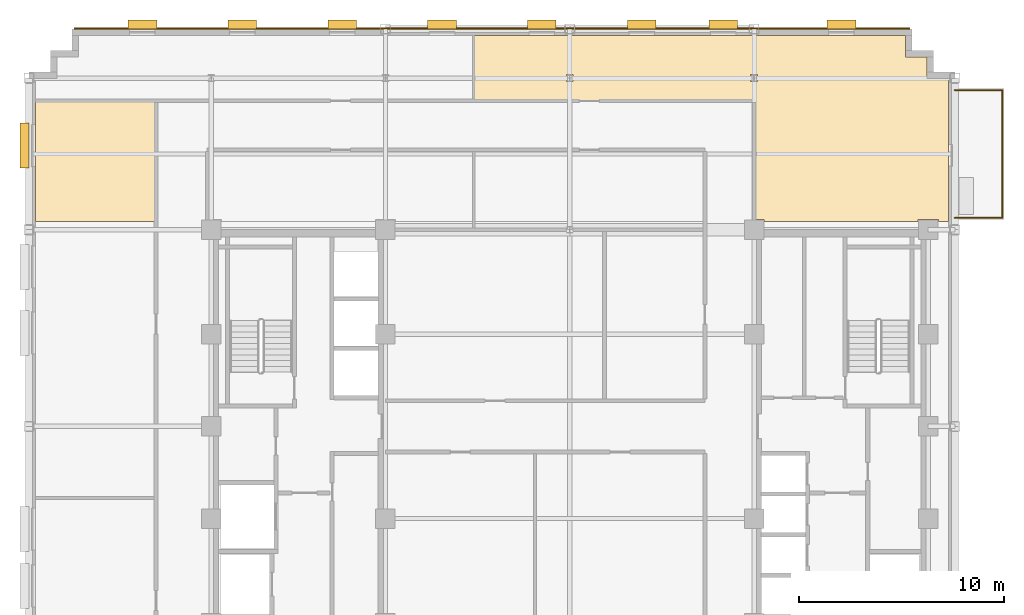
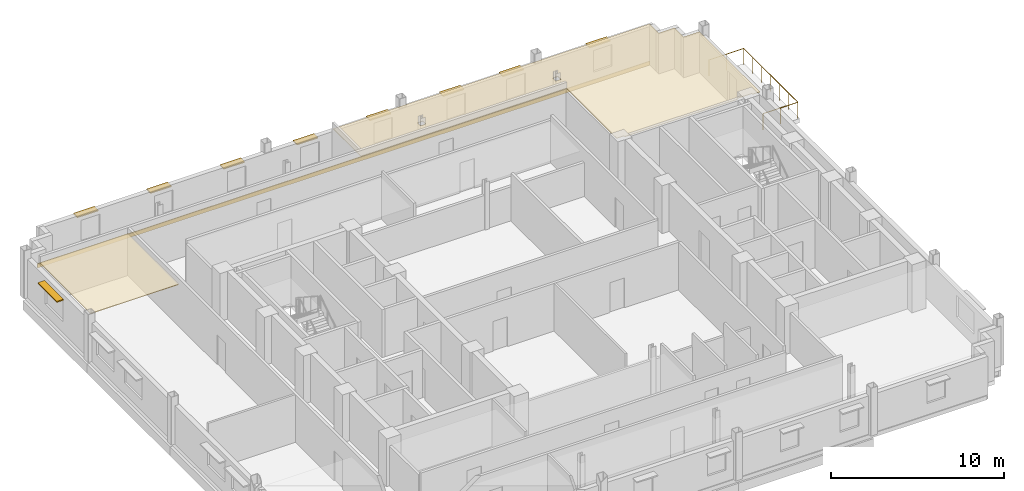
# One storey, part 13 of 13: 9 shading devices, 3 coverings, 1 railing.
"""IFC4 building model written with IfcOpenShell, lengths in metres."""

from ifc_helpers import new_model, si_unit, direction, frame, origin, origin_2d, place, context, subcontext, project, spatial, polyline, rectangle, circle, outline, extrude, source, transform, mapped, material, layer, layer_set, type_object, type_shapes, element, save


model = new_model("IFC4")

# Units and contexts
model_context = context("Model", 3, precision=1e-05, world=origin(), true_north=direction((0.0, 1.0)))
body_context = subcontext(model_context, "Body", "Model", "MODEL_VIEW")
ifc_project = project(units=[si_unit("LENGTHUNIT", "METRE"), si_unit("AREAUNIT", "SQUARE_METRE"), si_unit("VOLUMEUNIT", "CUBIC_METRE"), si_unit("PLANEANGLEUNIT", "RADIAN"), si_unit("MASSUNIT", "GRAM", prefix="KILO")], contexts=[model_context])

# Site, building, storey
site_placement = place(None, origin())
site = spatial("IfcSite", under=ifc_project, at=site_placement, CompositionType="ELEMENT")
building_placement = place(site_placement, origin())
building = spatial("IfcBuilding", under=site, at=building_placement, Name="Nuvemarco Arch Tower", CompositionType="ELEMENT")
storey_placement = place(building_placement, frame((0.0, 0.0, 212.800048828125)))
storey = spatial("IfcBuildingStorey", under=building, at=storey_placement, Name="L56", CompositionType="ELEMENT", Elevation=212.800048828125)

# Coverings
ifc_material_1 = material(Name="Mineral acoustic ceiling tile")
ifc_layer_1 = layer(ifc_material_1, 0.0400390625, Name="COV-ACOUSTIC-CLG")
ifc_layer_set_1 = layer_set([ifc_layer_1], Name="Mineral acoustic ceiling tile")
covering_type_1 = type_object("IfcCoveringType", Name="COV-ACOUSTIC-CLG", PredefinedType="CEILING", material=ifc_layer_set_1)
covering_1_placement = place(storey_placement, frame((0.0, 0.0, 2.849853515625)))
element("IfcCovering", 1, at=covering_1_placement, inside=storey, type_object=covering_type_1, Name="L56 suspended acoustic ceiling 2", PredefinedType="CEILING", context=body_context, shape_type="SweptSolid", body=[
    extrude(outline(polyline([(18.489990234375, 16.989990234375), (18.489990234375, 10.0), (17.989990234375, 10.0), (17.989990234375, 10.090087890625), (17.010009765625, 10.090087890625), (17.010009765625, 10.0), (9.489990234375, 10.0), (9.489990234375, 10.090087890625), (9.0, 10.090087890625), (9.0, 13.5), (9.0, 15.89990234375), (6.60009765625, 15.89990234375), (-4.68994140625, 15.89990234375), (-4.68994140625, 19.090087890625), (16.389892578125, 19.090087890625), (16.389892578125, 18.0400390625), (17.43994140625, 18.0400390625), (17.43994140625, 16.989990234375), (18.489990234375, 16.989990234375)]), holes=[polyline([(0.169921875, 16.830078125), (0.169921875, 17.169921875), (-0.169921875, 17.169921875), (-0.169921875, 16.830078125), (0.169921875, 16.830078125)]), polyline([(9.169921875, 17.169921875), (8.830078125, 17.169921875), (8.830078125, 16.830078125), (9.169921875, 16.830078125), (9.169921875, 17.169921875)])]), origin(), (0.0, 0.0, 1.0), 0.0400390625),
])
covering_2_placement = place(storey_placement, frame((0.0, 0.0, 2.849853515625)))
element("IfcCovering", 2, at=covering_2_placement, inside=storey, type_object=covering_type_1, Name="L56 suspended acoustic ceiling 3", PredefinedType="CEILING", context=body_context, shape_type="SweptSolid", body=[
    extrude(outline(polyline([(-20.199951171875, 10.0), (-26.090087890625, 10.0), (-26.090087890625, 15.89990234375), (-20.199951171875, 15.89990234375), (-20.199951171875, 13.5), (-20.199951171875, 10.0)])), origin(), (0.0, 0.0, 1.0), 0.0400390625),
])

# Railing
ifc_material_2 = material(Name="Dark anodised balustrade steel S355", Category="steel")
railing_type = type_object("IfcRailingType", Name="RL-TERR-GUARD", PredefinedType="BALUSTRADE", material=ifc_material_2)
railing_placement = place(storey_placement, frame((18.800048828125, 10.179931640625, 0.0)))
element("IfcRailing", 3, at=railing_placement, inside=storey, type_object=railing_type, Name="L56 spiral terrace perimeter balustrade guard", PredefinedType="BALUSTRADE", context=body_context, shape_type="SweptSolid", body=[
    extrude(circle(Radius=0.02392578125, at=origin_2d()), frame((0.0, 0.0, 1.1259765625), z_axis=(1.0, 0.0, 0.0), x_axis=(0.0, 1.0, 0.0)), (0.0, 0.0, 1.0), 2.320068359375),
    extrude(circle(Radius=0.02392578125, at=origin_2d()), frame((2.320068359375, 0.0, 1.1259765625), z_axis=(0.0, 1.0, 0.0), x_axis=(-1.0, 0.0, 0.0)), (0.0, 0.0, 1.0), 6.239990234375),
    extrude(circle(Radius=0.02392578125, at=origin_2d()), frame((2.320068359375, 6.239990234375, 1.1259765625), z_axis=(-1.0, 0.0, 0.0), x_axis=(0.0, -1.0, 0.0)), (0.0, 0.0, 1.0), 2.320068359375),
    extrude(circle(Radius=0.02099609375, at=origin_2d()), origin(), (0.0, 0.0, 1.0), 1.101806640625),
    extrude(circle(Radius=0.02099609375, at=origin_2d()), frame((1.16015625, 0.0, 0.0)), (0.0, 0.0, 1.0), 1.101806640625),
    extrude(circle(Radius=0.02099609375, at=origin_2d()), frame((2.320068359375, 0.0, 0.0)), (0.0, 0.0, 1.0), 1.101806640625),
    extrude(circle(Radius=0.02099609375, at=origin_2d()), frame((2.320068359375, 1.0400390625, 0.0)), (0.0, 0.0, 1.0), 1.101806640625),
    extrude(circle(Radius=0.02099609375, at=origin_2d()), frame((2.320068359375, 2.080078125, 0.0)), (0.0, 0.0, 1.0), 1.101806640625),
    extrude(circle(Radius=0.02099609375, at=origin_2d()), frame((2.320068359375, 3.1201171875, 0.0)), (0.0, 0.0, 1.0), 1.101806640625),
    extrude(circle(Radius=0.02099609375, at=origin_2d()), frame((2.320068359375, 4.159912109375, 0.0)), (0.0, 0.0, 1.0), 1.101806640625),
    extrude(circle(Radius=0.02099609375, at=origin_2d()), frame((2.320068359375, 5.199951171875, 0.0)), (0.0, 0.0, 1.0), 1.101806640625),
    extrude(circle(Radius=0.02099609375, at=origin_2d()), frame((2.320068359375, 6.239990234375, 0.0)), (0.0, 0.0, 1.0), 1.101806640625),
    extrude(circle(Radius=0.02099609375, at=origin_2d()), frame((1.16015625, 6.239990234375, 0.0)), (0.0, 0.0, 1.0), 1.101806640625),
    extrude(circle(Radius=0.02099609375, at=origin_2d()), frame((0.0, 6.239990234375, 0.0)), (0.0, 0.0, 1.0), 1.101806640625),
])

# Shading devices
ifc_material_3 = material(Name="Anodised aluminium 6063-T6", Category="aluminium")
shading_device_type_1 = type_object("IfcShadingDeviceType", Name="SHD-BRISE-SOLEIL", PredefinedType="USERDEFINED", material=ifc_material_3)
shared_shape_1 = source(origin(), body_context, "Body", "SweptSolid", [
    extrude(rectangle(XDim=2.199951171875, YDim=0.449951171875, at=origin_2d()), origin(), (0.0, 0.0, 1.0), 0.080078125),
])
type_shapes(shading_device_type_1, [shared_shape_1])
shading_device_placement = place(storey_placement, frame((-26.614990234375, 13.708984375, 2.324951171875), z_axis=(0.0, 0.0, 1.0), x_axis=(0.0, 1.0, 0.0)))
element("IfcShadingDevice", 4, at=shading_device_placement, inside=storey, type_object=shading_device_type_1, Name="L56 horizontal brise-soleil sunshade", ObjectType="SUNSHADE", PredefinedType="USERDEFINED", context=body_context, shape_type="MappedRepresentation", body=[
    mapped(shared_shape_1, transform((0.0, 0.0, 0.0), scale=1.0)),
])
shading_device_type_2 = type_object("IfcShadingDeviceType", Name="SHD-BRISE-NARROW", PredefinedType="USERDEFINED", material=ifc_material_3)
shared_shape_2 = source(origin(), body_context, "Body", "SweptSolid", [
    extrude(rectangle(XDim=1.39990234375, YDim=0.449951171875, at=origin_2d()), origin(), (0.0, 0.0, 1.0), 0.080078125),
])
type_shapes(shading_device_type_2, [shared_shape_2])
for number, where, z_axis, x_axis, name in (
    (5, (-20.862548828125, 19.614990234375, 2.324951171875), (0.0, 0.0, 1.0), (1.0, 0.0, 0.0), "L56 horizontal brise-soleil sunshade"),
    (6, (-15.987548828125, 19.614990234375, 2.324951171875), (0.0, 0.0, 1.0), (1.0, 0.0, 0.0), "L56 horizontal brise-soleil sunshade"),
    (7, (-11.112548828125, 19.614990234375, 2.324951171875), (0.0, 0.0, 1.0), (1.0, 0.0, 0.0), "L56 horizontal brise-soleil sunshade"),
    (8, (-6.237548828125, 19.614990234375, 2.324951171875), (0.0, 0.0, 1.0), (1.0, 0.0, 0.0), "L56 horizontal brise-soleil sunshade"),
    (9, (-1.362548828125, 19.614990234375, 2.324951171875), (0.0, 0.0, 1.0), (1.0, 0.0, 0.0), "L56 horizontal brise-soleil sunshade"),
    (10, (3.512451171875, 19.614990234375, 2.324951171875), (0.0, 0.0, 1.0), (1.0, 0.0, 0.0), "L56 horizontal brise-soleil sunshade"),
    (11, (7.487548828125, 19.614990234375, 2.324951171875), (0.0, 0.0, 1.0), (1.0, 0.0, 0.0), "L56 horizontal brise-soleil sunshade"),
    (12, (13.262451171875, 19.614990234375, 2.324951171875), (0.0, 0.0, 1.0), (1.0, 0.0, 0.0), "L56 horizontal brise-soleil sunshade"),
):
    element("IfcShadingDevice", number, at=place(storey_placement, frame(where, z_axis=z_axis, x_axis=x_axis)), inside=storey, type_object=shading_device_type_2, Name=name, ObjectType="SUNSHADE", PredefinedType="USERDEFINED", context=body_context, shape_type="MappedRepresentation", body=[
        mapped(shared_shape_2, transform((0.0, 0.0, 0.0), scale=1.0)),
    ])

# Covering
ifc_material_4 = material(Name="Precast concrete C45/55", Category="concrete")
ifc_layer_2 = layer(ifc_material_4, 0.06005859375, Name="COV-SPANDREL-CLAD")
ifc_layer_set_2 = layer_set([ifc_layer_2], Name="Precast concrete C45/55")
covering_type_2 = type_object("IfcCoveringType", Name="COV-SPANDREL-CLAD", PredefinedType="CLADDING", material=ifc_layer_set_2)
shared_shape_3 = source(origin(), body_context, "Body", "SweptSolid", [
    extrude(rectangle(XDim=40.800048828125, YDim=0.06005859375, at=origin_2d()), origin(), (0.0, 0.0, 1.0), 0.280029296875),
])
type_shapes(covering_type_2, [shared_shape_3])
covering_3_placement = place(storey_placement, frame((-3.800048828125, 19.428955078125, -0.2802734375), z_axis=(0.0, 0.0, 1.0), x_axis=(1.0, 0.0, 0.0)))
element("IfcCovering", 13, at=covering_3_placement, inside=storey, type_object=covering_type_2, Name="L56 precast spandrel edge cladding north", PredefinedType="CLADDING", context=body_context, shape_type="MappedRepresentation", body=[
    mapped(shared_shape_3, transform((0.0, 0.0, 0.0), scale=1.0)),
])

save(model, "model.ifc")
